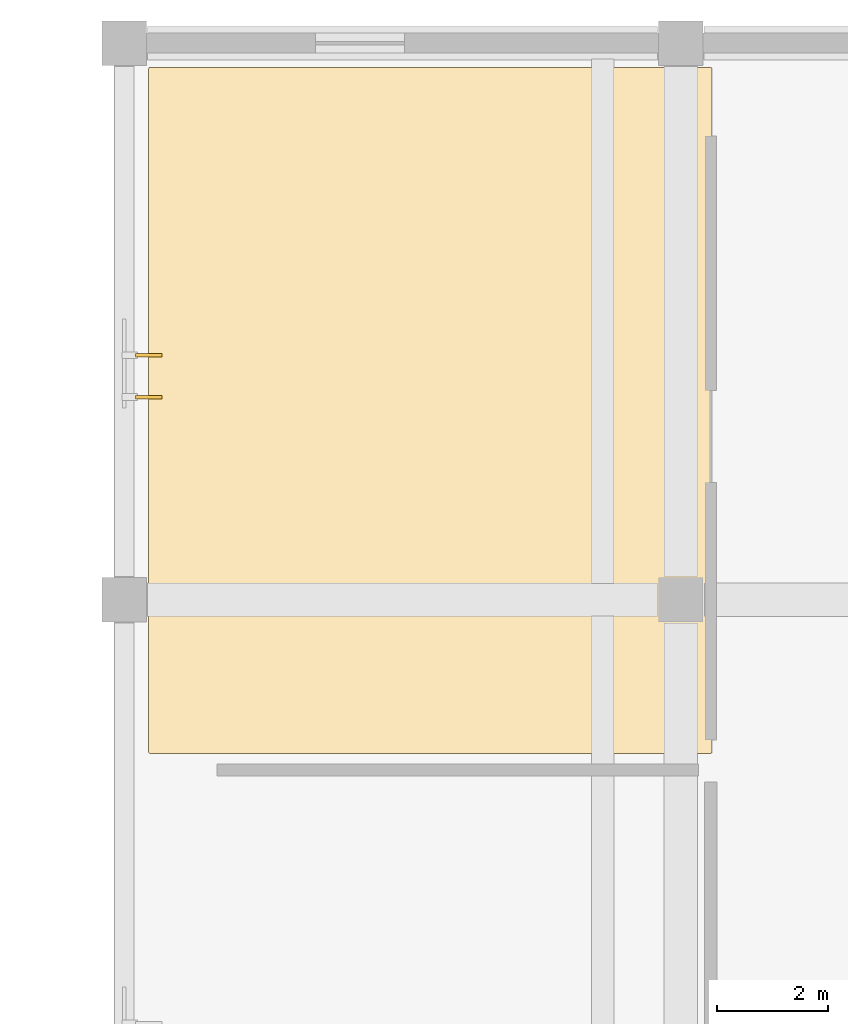
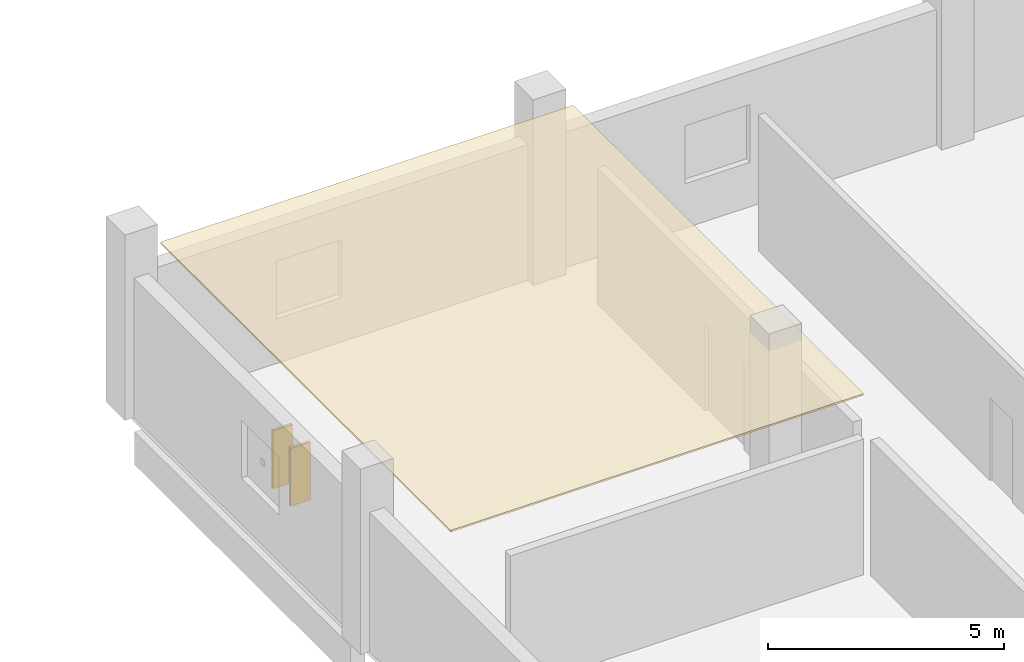
# One storey, part 177 of 179: 2 shading devices, 1 covering.
"""IFC4 building model written with IfcOpenShell, lengths in metres."""

import ifcopenshell
import ifcopenshell.guid

model = None  # the IFC model being written
_history = None  # IfcOwnerHistory: only IFC2X3 demands one
_inside = {}  # id of a spatial element -> (the spatial element, [elements in it])
_under = {}  # id of a project, library or spatial element -> (it, [spatial elements below it])
_declared = {}  # id of a project -> (the project, [libraries it declares])
_typed = {}  # id of a type object -> (the type object, [elements of that type])
_made_of = {}  # id of a material, layer set ... -> (it, [elements and type objects made of it])


def new_model(schema):
    """Start an empty IFC model of exactly this schema.

    Asked for "IFC4X3", IfcOpenShell would pick the latest addendum, in which some entities
    have other attributes; the version numbers below select the first issue.
    IFC2X3 requires an IfcOwnerHistory on every rooted entity: one is made here for all.
    """
    global model, _history
    if schema == "IFC4X3":
        model = ifcopenshell.file(schema_version=(4, 3, 0, 0))
    else:
        model = ifcopenshell.file(schema=schema)
    _inside.clear()
    _under.clear()
    _declared.clear()
    _typed.clear()
    _made_of.clear()
    _history = None
    if model.schema == "IFC2X3":
        org = make("IfcOrganization", Name="unknown")
        user = make(
            "IfcPersonAndOrganization",
            ThePerson=make("IfcPerson", FamilyName="unknown"),
            TheOrganization=org,
        )
        app = make(
            "IfcApplication",
            ApplicationDeveloper=org,
            Version="unknown",
            ApplicationFullName="unknown",
            ApplicationIdentifier="unknown",
        )
        _history = make(
            "IfcOwnerHistory",
            OwningUser=user,
            OwningApplication=app,
            ChangeAction="ADDED",
            CreationDate=0,
        )
    return model


def make(cls, **values):
    """One entity of the class cls with the attributes given. An attribute that is None is left unset."""
    return model.create_entity(
        cls, **{name: value for name, value in values.items() if value is not None}
    )


def rooted(cls, **values):
    """An entity with a GlobalId (a new one), such as an element, a storey or a relation."""
    return make(cls, GlobalId=ifcopenshell.guid.new(), OwnerHistory=_history, **values)


def si_unit(unit_type, name, prefix=None):
    """IfcSIUnit, for example si_unit("LENGTHUNIT", "METRE", prefix="MILLI")."""
    return make("IfcSIUnit", UnitType=unit_type, Prefix=prefix, Name=name)


def assignment(units):
    """IfcUnitAssignment: the units of a project."""
    return None if units is None else make("IfcUnitAssignment", Units=units)


def point(xyz):
    """IfcCartesianPoint."""
    return None if xyz is None else make("IfcCartesianPoint", Coordinates=xyz)


def direction(xyz):
    """IfcDirection."""
    return None if xyz is None else make("IfcDirection", DirectionRatios=xyz)


def frame(location, z_axis=None, x_axis=None):
    """IfcAxis2Placement3D, a coordinate frame: its origin and axes. An axis left out is left unset."""
    return make(
        "IfcAxis2Placement3D",
        Location=point(location),
        Axis=direction(z_axis),
        RefDirection=direction(x_axis),
    )


def frame_2d(location, x_axis=None):
    """IfcAxis2Placement2D, a coordinate frame in the plane: its origin and x axis."""
    return make(
        "IfcAxis2Placement2D", Location=point(location), RefDirection=direction(x_axis)
    )


def origin():
    """The frame at (0, 0, 0) with its axes left unset."""
    return frame((0.0, 0.0, 0.0))


def origin_2d():
    """The frame at (0, 0) in the plane with its x axis left unset."""
    return frame_2d((0.0, 0.0))


def place(relative_to, where):
    """IfcLocalPlacement: puts the frame where relative to a parent placement (None: the world)."""
    return make(
        "IfcLocalPlacement", PlacementRelTo=relative_to, RelativePlacement=where
    )


def context(
    kind, dimensions, precision=None, world=None, true_north=None, identifier=None
):
    """IfcGeometricRepresentationContext, for example the 3D "Model" context."""
    return make(
        "IfcGeometricRepresentationContext",
        ContextIdentifier=identifier,
        ContextType=kind,
        CoordinateSpaceDimension=dimensions,
        Precision=precision,
        WorldCoordinateSystem=world,
        TrueNorth=true_north,
    )


def subcontext(parent, identifier, kind, view, scale=None):
    """IfcGeometricRepresentationSubContext, for example "Body" below "Model"."""
    return make(
        "IfcGeometricRepresentationSubContext",
        ContextIdentifier=identifier,
        ContextType=kind,
        ParentContext=parent,
        TargetScale=scale,
        TargetView=view,
    )


def project(units=None, contexts=None):
    """IfcProject with its units and contexts."""
    return rooted(
        "IfcProject",
        Name="project",
        RepresentationContexts=contexts,
        UnitsInContext=assignment(units),
    )


def spatial(cls, under=None, at=None, **own):
    """A site, building, storey or space (cls), placed at a placement, below another one or the project."""
    s = rooted(cls, ObjectPlacement=at, **own)
    if under is not None:
        _under.setdefault(under.id(), (under, []))[1].append(s)
    return s


def polyline(points):
    """IfcPolyline through the points."""
    return make("IfcPolyline", Points=[point(p) for p in points])


def profile(cls, at=None, kind="AREA", **sizes):
    """A parametric profile (cls). Its sizes go by their IFC names, for example OverallWidth=200.0."""
    return make(cls, ProfileType=kind, Position=at, **sizes)


def rectangle(**sizes):
    """IfcRectangleProfileDef."""
    return profile("IfcRectangleProfileDef", **sizes)


def outline(outer, holes=None, kind="AREA"):
    """IfcArbitraryClosedProfileDef: a profile drawn as a closed curve; with holes, ...WithVoids."""
    if holes is None:
        return make("IfcArbitraryClosedProfileDef", ProfileType=kind, OuterCurve=outer)
    return make(
        "IfcArbitraryProfileDefWithVoids",
        ProfileType=kind,
        OuterCurve=outer,
        InnerCurves=holes,
    )


def extrude(swept, where, along, depth):
    """IfcExtrudedAreaSolid: the profile swept, set in the frame where, extruded along a direction by depth."""
    return make(
        "IfcExtrudedAreaSolid",
        SweptArea=swept,
        Position=where,
        ExtrudedDirection=direction(along),
        Depth=depth,
    )


def shape(context_of_items, identifier, shape_type, items):
    """IfcShapeRepresentation: the items that make up one representation, for example the "Body"."""
    return make(
        "IfcShapeRepresentation",
        ContextOfItems=context_of_items,
        RepresentationIdentifier=identifier,
        RepresentationType=shape_type,
        Items=items,
    )


def material(Name=None, Category=None):
    """IfcMaterial."""
    return make("IfcMaterial", Name=Name, Category=Category)


def layer(
    of_material, thickness, ventilated=None, Name=None, Category=None, Priority=None
):
    """IfcMaterialLayer: one layer of a wall or slab, of a material (None: an air gap)."""
    return make(
        "IfcMaterialLayer",
        Material=of_material,
        LayerThickness=thickness,
        IsVentilated=ventilated,
        Name=Name,
        Category=Category,
        Priority=Priority,
    )


def layer_set(layers, Name=None):
    """IfcMaterialLayerSet."""
    return make("IfcMaterialLayerSet", MaterialLayers=layers, LayerSetName=Name)


def made_of(thing, what):
    """Note that an element or type object is made of a material, layer set ...; save() writes the relation."""
    if what is not None:
        _made_of.setdefault(what.id(), (what, []))[1].append(thing)
    return thing


def type_object(cls, material=None, **own):
    """A type object (cls), such as IfcWallType, which elements share."""
    return made_of(rooted(cls, **own), material)


def element(
    cls,
    number,
    at=None,
    inside=None,
    cuts=None,
    type_object=None,
    material=None,
    context=None,
    identifier="Body",
    shape_type=None,
    held_by="IfcProductDefinitionShape",
    body=None,
    shapes=None,
    **own,
):
    """One element of the class cls, such as IfcWall. Its Tag is "e" and its number.

    at: its placement. inside: the storey or other place that contains it. cuts: it is an
    opening in that element (IfcRelVoidsElement). A single representation is given by context,
    identifier, shape_type and body (its items); several are given by shapes. held_by: the class
    of the entity that holds the representations. save() writes the other relations.
    """
    e = rooted(cls, Tag="e%d" % number, ObjectPlacement=at, **own)
    if body is not None:
        shapes = [shape(context, identifier, shape_type, body)]
    if shapes is not None:
        e.Representation = make(held_by, Representations=shapes)
    if inside is not None:
        _inside.setdefault(inside.id(), (inside, []))[1].append(e)
    if cuts is not None:
        rooted(
            "IfcRelVoidsElement", RelatingBuildingElement=cuts, RelatedOpeningElement=e
        )
    if type_object is not None:
        _typed.setdefault(type_object.id(), (type_object, []))[1].append(e)
    return made_of(e, material)


def aggregate(whole, parts):
    """IfcRelAggregates: a whole, such as a stair, and the parts it consists of."""
    return rooted("IfcRelAggregates", RelatingObject=whole, RelatedObjects=parts)


def save(model, path):
    """Write the relations noted so far, then the file.

    IfcRelAggregates (storeys below a building ...), IfcRelContainedInSpatialStructure (elements
    in a storey), IfcRelDefinesByType, IfcRelAssociatesMaterial and IfcRelDeclares: one each for
    every whole, place, type object, material and project.
    """
    for whole, parts in _under.values():
        aggregate(whole, parts)
    for where, things in _inside.values():
        rooted(
            "IfcRelContainedInSpatialStructure",
            RelatedElements=things,
            RelatingStructure=where,
        )
    for kind, things in _typed.values():
        rooted("IfcRelDefinesByType", RelatedObjects=things, RelatingType=kind)
    for what, things in _made_of.values():
        rooted("IfcRelAssociatesMaterial", RelatedObjects=things, RelatingMaterial=what)
    for by, libraries in _declared.values():
        rooted("IfcRelDeclares", RelatingContext=by, RelatedDefinitions=libraries)
    model.write(path)


model = new_model("IFC4")

# Units and contexts
model_context = context("Model", 3, precision=1e-05, world=origin(), true_north=direction((0.0, 1.0)))
body_context = subcontext(model_context, "Body", "Model", "MODEL_VIEW")
ifc_project = project(units=[si_unit("LENGTHUNIT", "METRE"), si_unit("AREAUNIT", "SQUARE_METRE"), si_unit("VOLUMEUNIT", "CUBIC_METRE"), si_unit("PLANEANGLEUNIT", "RADIAN"), si_unit("MASSUNIT", "GRAM", prefix="KILO")], contexts=[model_context])

# Site, building, storey
site_placement = place(None, origin())
site = spatial("IfcSite", under=ifc_project, at=site_placement, CompositionType="ELEMENT")
building_placement = place(site_placement, origin())
building = spatial("IfcBuilding", under=site, at=building_placement, Name="Corvandel Quay Wholesale Market", CompositionType="ELEMENT")
storey_placement = place(building_placement, frame((0.0, 0.0, 6.0)))
storey = spatial("IfcBuildingStorey", under=building, at=storey_placement, Name="L01", CompositionType="ELEMENT", Elevation=6.0)

# Shading devices
ifc_material_1 = material(Name="Bronze anodised extruded aluminium 6063-T6", Category="aluminium")
shading_device_type = type_object("IfcShadingDeviceType", Name="Vertical Anodised Bronze Solar Fin FN01 480mm", PredefinedType="JALOUSIE", material=ifc_material_1)
for number, where, z_axis, x_axis, name in (
    (1, (20.43994140625, 135.639892578125, 1.199951171875), (0.0, 0.0, 1.0), (1.0, 0.0, 0.0), "Solar Fin 0578"),
    (2, (20.43994140625, 136.389892578125, 1.199951171875), (0.0, 0.0, 1.0), (1.0, 0.0, 0.0), "Solar Fin 0579"),
):
    element("IfcShadingDevice", number, at=place(storey_placement, frame(where, z_axis=z_axis, x_axis=x_axis)), inside=storey, type_object=shading_device_type, Name=name, PredefinedType="JALOUSIE", context=body_context, shape_type="SweptSolid", body=[
        extrude(rectangle(XDim=0.47998046875, YDim=0.06494140625, at=origin_2d()), origin(), (0.0, 0.0, 1.0), 1.5),
    ])

# Covering
ifc_material_2 = material(Name="Moisture-resistant washable PVC-faced gypsum board")
ifc_layer = layer(ifc_material_2, 0.0400390625)
ifc_layer_set = layer_set([ifc_layer], Name="Moisture-resistant washable PVC-faced gypsum board")
covering_type = type_object("IfcCoveringType", Name="Washable Hygienic Market Ceiling CLG02", PredefinedType="CEILING", material=ifc_layer_set)
covering_placement = place(storey_placement, frame((0.0, 0.0, 4.31005859375)))
element("IfcCovering", 3, at=covering_placement, inside=storey, type_object=covering_type, Name="Suspended Ceiling CLG-023", PredefinedType="CEILING", context=body_context, shape_type="SweptSolid", body=[
    extrude(outline(polyline([(20.4580078125, 129.239990234375), (20.4560546875, 129.239990234375), (20.4541015625, 129.240966796875), (20.451904296875, 129.241943359375), (20.450927734375, 129.241943359375), (20.448974609375, 129.242919921875), (20.447021484375, 129.2451171875), (20.446044921875, 129.24609375), (20.445068359375, 129.2470703125), (20.443115234375, 129.2490234375), (20.44189453125, 129.2509765625), (20.44189453125, 129.251953125), (20.44091796875, 129.25390625), (20.43994140625, 129.256103515625), (20.43994140625, 129.258056640625), (20.43994140625, 129.260009765625), (20.43994140625, 141.5400390625), (20.43994140625, 141.5419921875), (20.43994140625, 141.5439453125), (20.44091796875, 141.5458984375), (20.44189453125, 141.548095703125), (20.44189453125, 141.549072265625), (20.443115234375, 141.551025390625), (20.445068359375, 141.552978515625), (20.446044921875, 141.553955078125), (20.447021484375, 141.554931640625), (20.448974609375, 141.556884765625), (20.450927734375, 141.55810546875), (20.451904296875, 141.55810546875), (20.4541015625, 141.55908203125), (20.4560546875, 141.56005859375), (20.4580078125, 141.56005859375), (20.4599609375, 141.56005859375), (30.5400390625, 141.56005859375), (30.5419921875, 141.56005859375), (30.5439453125, 141.56005859375), (30.5458984375, 141.55908203125), (30.548095703125, 141.55810546875), (30.549072265625, 141.55810546875), (30.551025390625, 141.556884765625), (30.552978515625, 141.554931640625), (30.553955078125, 141.553955078125), (30.554931640625, 141.552978515625), (30.556884765625, 141.551025390625), (30.55810546875, 141.549072265625), (30.55810546875, 141.548095703125), (30.55908203125, 141.5458984375), (30.56005859375, 141.5439453125), (30.56005859375, 141.5419921875), (30.56005859375, 141.5400390625), (30.56005859375, 129.260009765625), (30.56005859375, 129.258056640625), (30.56005859375, 129.256103515625), (30.55908203125, 129.25390625), (30.55810546875, 129.251953125), (30.55810546875, 129.2509765625), (30.556884765625, 129.2490234375), (30.554931640625, 129.2470703125), (30.553955078125, 129.24609375), (30.552978515625, 129.2451171875), (30.551025390625, 129.242919921875), (30.549072265625, 129.241943359375), (30.548095703125, 129.241943359375), (30.5458984375, 129.240966796875), (30.5439453125, 129.239990234375), (30.5419921875, 129.239990234375), (30.5400390625, 129.239990234375), (20.4599609375, 129.239990234375), (20.4580078125, 129.239990234375)])), origin(), (0.0, 0.0, 1.0), 0.044921875),
])

save(model, "model.ifc")
